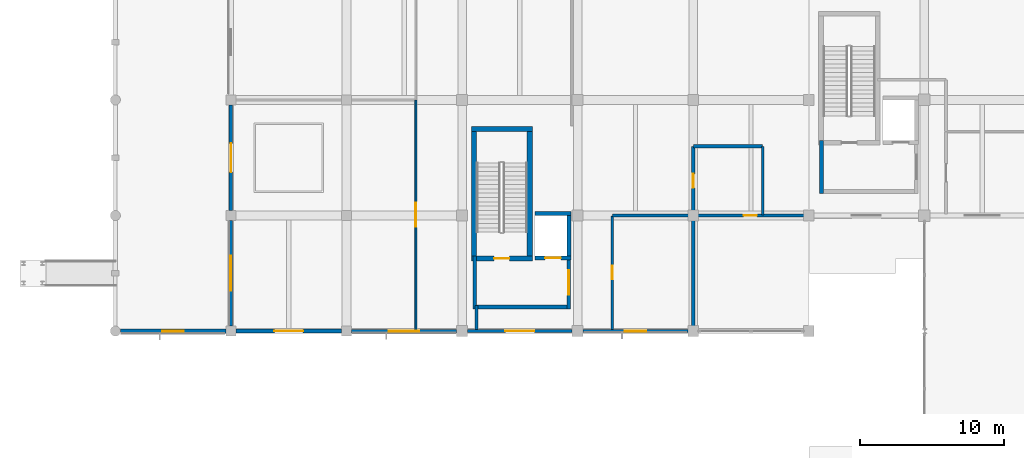
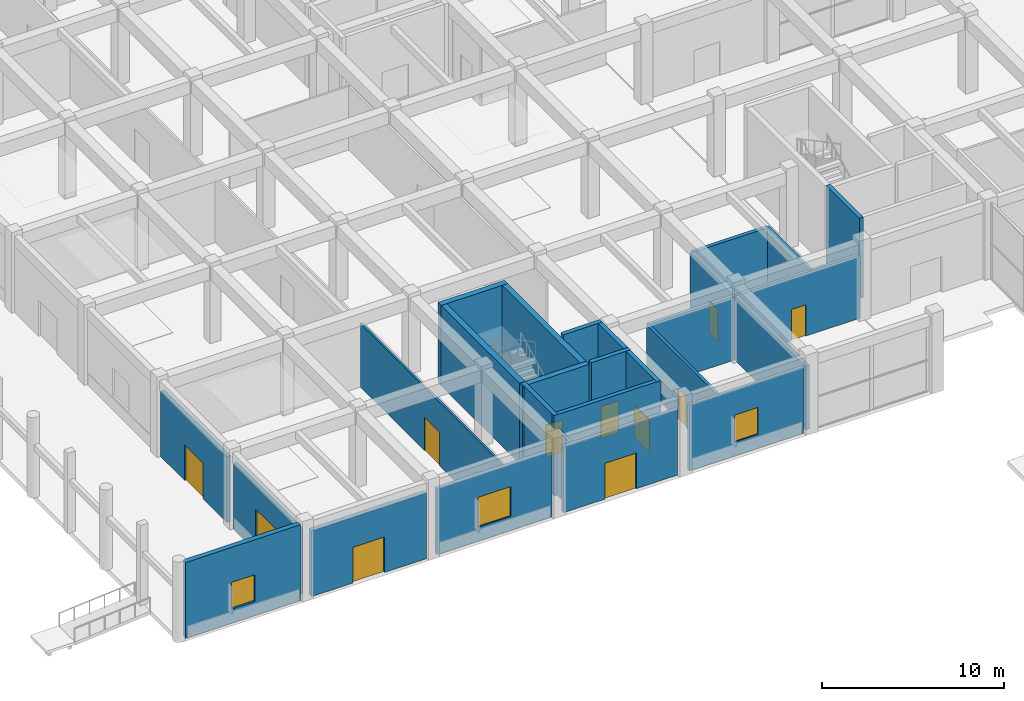
# One storey, part 54 of 86: 27 walls, 10 doors, 4 windows, 14 openings.
"""IFC4 building model written with IfcOpenShell, lengths in metres."""

from ifc_helpers import new_model, si_unit, direction, frame, frame_2d, origin, place, context, subcontext, project, spatial, rectangle, extrude, material, layer, layer_set, type_object, element, fill, save


model = new_model("IFC4")

# Units and contexts
model_context = context("Model", 3, precision=1e-05, world=origin(), true_north=direction((0.0, 1.0)))
body_context = subcontext(model_context, "Body", "Model", "MODEL_VIEW")
ifc_project = project(units=[si_unit("LENGTHUNIT", "METRE"), si_unit("AREAUNIT", "SQUARE_METRE"), si_unit("VOLUMEUNIT", "CUBIC_METRE"), si_unit("PLANEANGLEUNIT", "RADIAN"), si_unit("MASSUNIT", "GRAM", prefix="KILO")], contexts=[model_context])

# Site, building, storey
site_placement = place(None, origin())
site = spatial("IfcSite", under=ifc_project, at=site_placement, CompositionType="ELEMENT")
building_placement = place(site_placement, origin())
building = spatial("IfcBuilding", under=site, at=building_placement, Name="Kenh Van Central Station", CompositionType="ELEMENT")
storey_placement = place(building_placement, origin())
storey = spatial("IfcBuildingStorey", under=building, at=storey_placement, Name="L00", CompositionType="ELEMENT", Elevation=0.0)

# Wall
ifc_material_1 = material(Name="Lightweight acoustic masonry blockwork", Category="masonry")
ifc_layer_1 = layer(ifc_material_1, 0.18994140625, Name="Lightweight acoustic masonry blockwork")
ifc_layer_set_1 = layer_set([ifc_layer_1], Name="Lightweight acoustic masonry blockwork")
wall_type_1 = type_object("IfcWallType", Name="WL-COMP-190", PredefinedType="SOLIDWALL", material=ifc_layer_set_1)
wall_1_placement = place(storey_placement, frame((25.0, 8.1201171875, 0.0), z_axis=(0.0, 0.0, 1.0), x_axis=(0.0, 1.0, 0.0)))
element("IfcWall", 1, at=wall_1_placement, inside=storey, type_object=wall_type_1, Name="L00 interior wall 0049", PredefinedType="SOLIDWALL", context=body_context, shape_type="SweptSolid", body=[
    extrude(rectangle(XDim=1.659912109375, YDim=0.18994140625, at=frame_2d((0.830078125, 0.0))), origin(), (0.0, 0.0, 1.0), 4.419921875),
])

# Wall, opening, door
ifc_material_2 = material(Name="Concrete C40/50", Category="concrete")
ifc_layer_2 = layer(ifc_material_2, 0.280029296875, Name="Concrete C40/50")
ifc_layer_set_2 = layer_set([ifc_layer_2], Name="Concrete C40/50")
wall_type_2 = type_object("IfcWallType", Name="WL-CORE-280", PredefinedType="SHEAR", material=ifc_layer_set_2)
wall_2_placement = place(storey_placement, frame((29.050048828125, 13.06005859375, 0.0), z_axis=(0.0, 0.0, 1.0), x_axis=(1.0, 0.0, 0.0)))
wall_2 = element("IfcWall", 2, at=wall_2_placement, inside=storey, type_object=wall_type_2, Name="L00 LIFT-P1 shaft wall S", PredefinedType="SHEAR", context=body_context, shape_type="SweptSolid", body=[
    extrude(rectangle(XDim=2.47998046875, YDim=0.280029296875, at=frame_2d((1.239990234375, 0.0))), origin(), (0.0, 0.0, 1.0), 5.39990234375),
])
opening_1_placement = place(wall_2_placement, frame((0.68994140625, 0.0, 0.0)))
opening_1 = element("IfcOpeningElement", 3, at=opening_1_placement, cuts=wall_2, Name="Opening LD-P1", PredefinedType="OPENING", context=body_context, shape_type="SweptSolid", body=[
    extrude(rectangle(XDim=1.10009765625, YDim=2.14990234375, at=frame_2d((0.550048828125, 1.074951171875))), frame((0.0, 0.14990234375, 0.0), z_axis=(0.0, -1.0, 0.0), x_axis=(1.0, 0.0, 0.0)), (0.0, 0.0, 1.0), 0.300048828125),
])
ifc_material_3 = material(Name="Champagne anodised aluminium", Category="aluminium")
door_type_1 = type_object("IfcDoorType", Name="DR-LIFT-1100x2150", OperationType="SLIDING_TO_LEFT", PredefinedType="DOOR", material=ifc_material_3)
door_1_placement = place(opening_1_placement, origin())
door_1 = element("IfcDoor", 4, at=door_1_placement, inside=storey, type_object=door_type_1, Name="L00 LIFT-P1 sliding landing door", OperationType="SLIDING_TO_LEFT", OverallHeight=2.14990234375, OverallWidth=1.10009765625, PredefinedType="DOOR", context=body_context, shape_type="SweptSolid", body=[
    extrude(rectangle(XDim=1.10009765625, YDim=2.14990234375, at=frame_2d((0.550048828125, 1.074951171875))), frame((0.0, 0.02490234375, 0.0), z_axis=(0.0, -1.0, 0.0), x_axis=(1.0, 0.0, 0.0)), (0.0, 0.0, 1.0), 0.050048828125),
])
fill(opening_1, door_1)

# Walls
wall_3_placement = place(storey_placement, frame((29.050048828125, 16.139892578125, 0.0), z_axis=(0.0, 0.0, 1.0), x_axis=(1.0, 0.0, 0.0)))
element("IfcWall", 5, at=wall_3_placement, inside=storey, type_object=wall_type_2, Name="L00 LIFT-P1 shaft wall N", PredefinedType="SHEAR", context=body_context, shape_type="SweptSolid", body=[
    extrude(rectangle(XDim=2.47998046875, YDim=0.280029296875, at=frame_2d((1.239990234375, 0.0))), origin(), (0.0, 0.0, 1.0), 5.39990234375),
])
wall_4_placement = place(storey_placement, frame((31.389892578125, 13.199951171875, 0.0), z_axis=(0.0, 0.0, 1.0), x_axis=(0.0, 1.0, 0.0)))
element("IfcWall", 6, at=wall_4_placement, inside=storey, type_object=wall_type_2, Name="L00 LIFT-P1 shaft wall E", PredefinedType="SHEAR", context=body_context, shape_type="SweptSolid", body=[
    extrude(rectangle(XDim=2.800048828125, YDim=0.280029296875, at=frame_2d((1.39990234375, 0.0))), origin(), (0.0, 0.0, 1.0), 5.39990234375),
])

# Wall, opening, door
ifc_layer_3 = layer(ifc_material_2, 0.360107421875, Name="Concrete C40/50")
ifc_layer_set_3 = layer_set([ifc_layer_3], Name="Concrete C40/50")
wall_type_3 = type_object("IfcWallType", Name="WL-CORE-360", PredefinedType="SHEAR", material=ifc_layer_set_3)
wall_5_placement = place(storey_placement, frame((24.639892578125, 13.02001953125, 0.0), z_axis=(0.0, 0.0, 1.0), x_axis=(1.0, 0.0, 0.0)))
wall_5 = element("IfcWall", 7, at=wall_5_placement, inside=storey, type_object=wall_type_3, Name="L00 CORE-01 stair wall S", PredefinedType="SHEAR", context=body_context, shape_type="SweptSolid", body=[
    extrude(rectangle(XDim=4.22021484375, YDim=0.360107421875, at=frame_2d((2.110107421875, 0.0))), origin(), (0.0, 0.0, 1.0), 5.39990234375),
])
opening_2_placement = place(wall_5_placement, frame((1.5849609375, 0.0, 0.0)))
opening_2 = element("IfcOpeningElement", 8, at=opening_2_placement, cuts=wall_5, Name="Opening D-FD60", PredefinedType="OPENING", context=body_context, shape_type="SweptSolid", body=[
    extrude(rectangle(XDim=1.050048828125, YDim=2.14990234375, at=frame_2d((0.52490234375, 1.074951171875))), frame((0.0, 0.18994140625, 0.0), z_axis=(0.0, -1.0, 0.0), x_axis=(1.0, 0.0, 0.0)), (0.0, 0.0, 1.0), 0.380126953125),
])
door_type_2 = type_object("IfcDoorType", Name="DR-FIRE-1050x2150", OperationType="NOTDEFINED", PredefinedType="DOOR", material=ifc_material_3)
door_2_placement = place(opening_2_placement, origin())
door_2 = element("IfcDoor", 9, at=door_2_placement, inside=storey, type_object=door_type_2, Name="L00 ST-01 stair door", OperationType="SINGLE_SWING_LEFT", OverallHeight=2.14990234375, OverallWidth=1.050048828125, PredefinedType="DOOR", context=body_context, shape_type="SweptSolid", body=[
    extrude(rectangle(XDim=1.050048828125, YDim=2.14990234375, at=frame_2d((0.52490234375, 1.074951171875))), frame((0.0, 0.02490234375, 0.0), z_axis=(0.0, -1.0, 0.0), x_axis=(1.0, 0.0, 0.0)), (0.0, 0.0, 1.0), 0.050048828125),
])
fill(opening_2, door_2)

# Walls
wall_6_placement = place(storey_placement, frame((24.639892578125, 21.97998046875, 0.0), z_axis=(0.0, 0.0, 1.0), x_axis=(1.0, 0.0, 0.0)))
element("IfcWall", 10, at=wall_6_placement, inside=storey, type_object=wall_type_3, Name="L00 CORE-01 stair wall N", PredefinedType="SHEAR", context=body_context, shape_type="SweptSolid", body=[
    extrude(rectangle(XDim=4.22021484375, YDim=0.360107421875, at=frame_2d((2.110107421875, 0.0))), origin(), (0.0, 0.0, 1.0), 5.39990234375),
])
for number, where, z_axis, x_axis, name in (
    (11, (24.820068359375, 13.199951171875, 0.0), (0.0, 0.0, 1.0), (0.0, 1.0, 0.0), "L00 CORE-01 stair wall W"),
    (12, (28.679931640625, 13.199951171875, 0.0), (0.0, 0.0, 1.0), (0.0, 1.0, 0.0), "L00 CORE-01 stair wall E"),
):
    element("IfcWall", number, at=place(storey_placement, frame(where, z_axis=z_axis, x_axis=x_axis)), inside=storey, type_object=wall_type_3, Name=name, PredefinedType="SHEAR", context=body_context, shape_type="SweptSolid", body=[
        extrude(rectangle(XDim=8.60009765625, YDim=0.360107421875, at=frame_2d((4.300048828125, 0.0))), origin(), (0.0, 0.0, 1.0), 5.39990234375),
    ])

# Wall, opening, door
ifc_material_4 = material(Name="Saigon buff sandstone and terracotta masonry", Category="masonry")
ifc_layer_4 = layer(ifc_material_4, 0.2900390625, Name="Saigon buff sandstone and terracotta masonry")
ifc_layer_set_4 = layer_set([ifc_layer_4], Name="Saigon buff sandstone and terracotta masonry")
wall_type_4 = type_object("IfcWallType", Name="WL-EXT-290", PredefinedType="STANDARD", material=ifc_layer_set_4)
wall_7_placement = place(storey_placement, frame((8.35009765625, 8.0, 0.0), z_axis=(0.0, 0.0, 1.0), x_axis=(1.0, 0.0, 0.0)))
wall_7 = element("IfcWall", 13, at=wall_7_placement, inside=storey, type_object=wall_type_4, Name="L00 exterior wall 020", PredefinedType="STANDARD", context=body_context, shape_type="SweptSolid", body=[
    extrude(rectangle(XDim=7.2998046875, YDim=0.2900390625, at=frame_2d((3.64990234375, 0.0))), origin(), (0.0, 0.0, 1.0), 4.419921875),
])
opening_3_placement = place(wall_7_placement, frame((2.64990234375, 0.0, 0.0)))
opening_3 = element("IfcOpeningElement", 14, at=opening_3_placement, cuts=wall_7, Name="Opening D-EX3", PredefinedType="OPENING", context=body_context, shape_type="SweptSolid", body=[
    extrude(rectangle(XDim=2.0, YDim=2.39990234375, at=frame_2d((1.0, 1.199951171875))), frame((0.0, 0.155029296875, 0.0), z_axis=(0.0, -1.0, 0.0), x_axis=(1.0, 0.0, 0.0)), (0.0, 0.0, 1.0), 0.31005859375),
])
door_type_3 = type_object("IfcDoorType", Name="DR-EXT-2000x2400", OperationType="DOUBLE_DOOR_SINGLE_SWING", PredefinedType="DOOR", material=ifc_material_3)
door_3_placement = place(opening_3_placement, frame((2.0, 0.0, 0.0), z_axis=(0.0, 0.0, 1.0), x_axis=(-1.0, 0.0, 0.0)))
door_3 = element("IfcDoor", 15, at=door_3_placement, inside=storey, type_object=door_type_3, Name="L00 exterior door 018", OperationType="DOUBLE_DOOR_SINGLE_SWING", OverallHeight=2.39990234375, OverallWidth=2.0, PredefinedType="DOOR", context=body_context, shape_type="SweptSolid", body=[
    extrude(rectangle(XDim=2.0, YDim=2.39990234375, at=frame_2d((-1.0, 1.199951171875))), frame((0.0, -0.02490234375, 0.0), z_axis=(0.0, 1.0, 0.0), x_axis=(-1.0, 0.0, 0.0)), (0.0, 0.0, 1.0), 0.050048828125),
])
fill(opening_3, door_3)

# Wall, opening, window
ifc_layer_5 = layer(ifc_material_4, 0.31005859375, Name="Saigon buff sandstone and terracotta masonry")
ifc_layer_set_5 = layer_set([ifc_layer_5], Name="Saigon buff sandstone and terracotta masonry")
wall_type_5 = type_object("IfcWallType", Name="WL-EXT-310", PredefinedType="STANDARD", material=ifc_layer_set_5)
wall_8_placement = place(storey_placement, frame((0.35009765625, 8.0, 0.0), z_axis=(0.0, 0.0, 1.0), x_axis=(1.0, 0.0, 0.0)))
wall_8 = element("IfcWall", 16, at=wall_8_placement, inside=storey, type_object=wall_type_5, Name="L00 exterior wall 019", PredefinedType="STANDARD", context=body_context, shape_type="SweptSolid", body=[
    extrude(rectangle(XDim=7.2998046875, YDim=0.31005859375, at=frame_2d((3.64990234375, 0.0))), origin(), (0.0, 0.0, 1.0), 5.10009765625),
])
opening_4_placement = place(wall_8_placement, frame((2.89990234375, 0.0, 0.949951171875)))
opening_4 = element("IfcOpeningElement", 17, at=opening_4_placement, cuts=wall_8, Name="Opening WN-11", PredefinedType="OPENING", context=body_context, shape_type="SweptSolid", body=[
    extrude(rectangle(XDim=1.5, YDim=1.800048828125, at=frame_2d((0.75, 0.89990234375))), frame((0.0, 0.1650390625, 0.0), z_axis=(0.0, -1.0, 0.0), x_axis=(1.0, 0.0, 0.0)), (0.0, 0.0, 1.0), 0.330078125),
])
ifc_material_5 = material(Name="Double-glazed low-E laminated solar glass", Category="glass")
window_type_1 = type_object("IfcWindowType", Name="WN-RETL-1500x1800", PartitioningType="SINGLE_PANEL", PredefinedType="WINDOW", material=ifc_material_5)
window_1_placement = place(opening_4_placement, origin())
window_1 = element("IfcWindow", 18, at=window_1_placement, inside=storey, type_object=window_type_1, Name="L00 window 002", OverallHeight=1.800048828125, OverallWidth=1.5, PartitioningType="SINGLE_PANEL", PredefinedType="WINDOW", context=body_context, shape_type="SweptSolid", body=[
    extrude(rectangle(XDim=1.5, YDim=1.800048828125, at=frame_2d((0.75, 0.89990234375))), frame((0.0, 0.030029296875, 0.0), z_axis=(0.0, -1.0, 0.0), x_axis=(1.0, 0.0, 0.0)), (0.0, 0.0, 1.0), 0.06005859375),
])
fill(opening_4, window_1)

# Walls
ifc_layer_6 = layer(ifc_material_2, 0.260009765625, Name="Concrete C40/50")
ifc_layer_set_6 = layer_set([ifc_layer_6], Name="Concrete C40/50")
wall_type_6 = type_object("IfcWallType", Name="WL-FIRE-260", PredefinedType="SHEAR", material=ifc_layer_set_6)
wall_9_placement = place(storey_placement, frame((31.510009765625, 9.669921875, 0.0), z_axis=(0.0, 0.0, 1.0), x_axis=(-1.0, 0.0, 0.0)))
element("IfcWall", 19, at=wall_9_placement, inside=storey, type_object=wall_type_6, Name="L00 CORE-01 lobby wall S", PredefinedType="SHEAR", context=body_context, shape_type="SweptSolid", body=[
    extrude(rectangle(XDim=6.77001953125, YDim=0.260009765625, at=frame_2d((3.385009765625, 0.0))), origin(), (0.0, 0.0, 1.0), 5.39990234375),
])
wall_10_placement = place(storey_placement, frame((24.8701171875, 9.5400390625, 0.0), z_axis=(0.0, 0.0, 1.0), x_axis=(0.0, 1.0, 0.0)))
element("IfcWall", 20, at=wall_10_placement, inside=storey, type_object=wall_type_6, Name="L00 CORE-01 lobby wall W", PredefinedType="SHEAR", context=body_context, shape_type="SweptSolid", body=[
    extrude(rectangle(XDim=3.659912109375, YDim=0.260009765625, at=frame_2d((1.830078125, 0.0))), origin(), (0.0, 0.0, 1.0), 5.39990234375),
])

# Wall, opening, door
wall_11_placement = place(storey_placement, frame((31.3798828125, 9.5400390625, 0.0), z_axis=(0.0, 0.0, 1.0), x_axis=(0.0, 1.0, 0.0)))
wall_11 = element("IfcWall", 21, at=wall_11_placement, inside=storey, type_object=wall_type_6, Name="L00 CORE-01 lobby wall E", PredefinedType="SHEAR", context=body_context, shape_type="SweptSolid", body=[
    extrude(rectangle(XDim=3.659912109375, YDim=0.260009765625, at=frame_2d((1.830078125, 0.0))), origin(), (0.0, 0.0, 1.0), 5.39990234375),
])
opening_5_placement = place(wall_11_placement, frame((0.97998046875, 0.0, 0.0)))
opening_5 = element("IfcOpeningElement", 22, at=opening_5_placement, cuts=wall_11, Name="Opening D-FD60D", PredefinedType="OPENING", context=body_context, shape_type="SweptSolid", body=[
    extrude(rectangle(XDim=1.699951171875, YDim=2.199951171875, at=frame_2d((0.85009765625, 1.10009765625))), frame((0.0, 0.139892578125, 0.0), z_axis=(0.0, -1.0, 0.0), x_axis=(1.0, 0.0, 0.0)), (0.0, 0.0, 1.0), 0.280029296875),
])
door_type_4 = type_object("IfcDoorType", Name="DR-FIRE-1700x2200", OperationType="DOUBLE_DOOR_SINGLE_SWING", PredefinedType="DOOR", material=ifc_material_3)
door_4_placement = place(opening_5_placement, origin())
door_4 = element("IfcDoor", 23, at=door_4_placement, inside=storey, type_object=door_type_4, Name="L00 CORE-01 smoke-stop lobby door", OperationType="DOUBLE_DOOR_SINGLE_SWING", OverallHeight=2.199951171875, OverallWidth=1.699951171875, PredefinedType="DOOR", context=body_context, shape_type="SweptSolid", body=[
    extrude(rectangle(XDim=1.699951171875, YDim=2.199951171875, at=frame_2d((0.85009765625, 1.10009765625))), frame((0.0, 0.02490234375, 0.0), z_axis=(0.0, -1.0, 0.0), x_axis=(1.0, 0.0, 0.0)), (0.0, 0.0, 1.0), 0.050048828125),
])
fill(opening_5, door_4)

# Wall
wall_12_placement = place(storey_placement, frame((48.8701171875, 17.5400390625, 0.0), z_axis=(0.0, 0.0, 1.0), x_axis=(0.0, 1.0, 0.0)))
element("IfcWall", 24, at=wall_12_placement, inside=storey, type_object=wall_type_6, Name="L00 CORE-03 lobby wall W", PredefinedType="SHEAR", context=body_context, shape_type="SweptSolid", body=[
    extrude(rectangle(XDim=3.659912109375, YDim=0.260009765625, at=frame_2d((1.830078125, 0.0))), origin(), (0.0, 0.0, 1.0), 5.39990234375),
])

# Wall, opening, door
ifc_layer_7 = layer(ifc_material_1, 0.125, Name="Lightweight acoustic masonry blockwork")
ifc_layer_set_7 = layer_set([ifc_layer_7], Name="Lightweight acoustic masonry blockwork")
wall_type_7 = type_object("IfcWallType", Name="WL-PART-125", PredefinedType="PARTITIONING", material=ifc_layer_set_7)
wall_13_placement = place(storey_placement, frame((20.800048828125, 8.1201171875, 0.0), z_axis=(0.0, 0.0, 1.0), x_axis=(0.0, 1.0, 0.0)))
wall_13 = element("IfcWall", 25, at=wall_13_placement, inside=storey, type_object=wall_type_7, Name="L00 interior wall 0039", PredefinedType="PARTITIONING", context=body_context, shape_type="SweptSolid", body=[
    extrude(rectangle(XDim=15.85986328125, YDim=0.125, at=frame_2d((7.929931640625, 0.0))), origin(), (0.0, 0.0, 1.0), 4.27001953125),
])
opening_6_placement = place(wall_13_placement, frame((7.10498046875, 0.0, 0.0)))
opening_6 = element("IfcOpeningElement", 26, at=opening_6_placement, cuts=wall_13, Name="Opening D-IN02", PredefinedType="OPENING", context=body_context, shape_type="SweptSolid", body=[
    extrude(rectangle(XDim=1.64990234375, YDim=2.25, at=frame_2d((0.824951171875, 1.125))), frame((0.0, 0.072509765625, 0.0), z_axis=(0.0, -1.0, 0.0), x_axis=(1.0, 0.0, 0.0)), (0.0, 0.0, 1.0), 0.14501953125),
])
ifc_material_6 = material(Name="Architectural hardwood timber", Category="wood")
door_type_5 = type_object("IfcDoorType", Name="DR-INT-1650x2250", OperationType="DOUBLE_DOOR_SINGLE_SWING", PredefinedType="DOOR", material=ifc_material_6)
door_5_placement = place(opening_6_placement, origin())
door_5 = element("IfcDoor", 27, at=door_5_placement, inside=storey, type_object=door_type_5, Name="L00 interior door 0022", OperationType="DOUBLE_DOOR_SINGLE_SWING", OverallHeight=2.25, OverallWidth=1.64990234375, PredefinedType="DOOR", context=body_context, shape_type="SweptSolid", body=[
    extrude(rectangle(XDim=1.64990234375, YDim=2.25, at=frame_2d((0.824951171875, 1.125))), frame((0.0, 0.02490234375, 0.0), z_axis=(0.0, -1.0, 0.0), x_axis=(1.0, 0.0, 0.0)), (0.0, 0.0, 1.0), 0.050048828125),
])
fill(opening_6, door_5)

ifc_layer_8 = layer(ifc_material_1, 0.18505859375, Name="Lightweight acoustic masonry blockwork")
ifc_layer_set_8 = layer_set([ifc_layer_8], Name="Lightweight acoustic masonry blockwork")
wall_type_8 = type_object("IfcWallType", Name="WL-PLMB-185", PredefinedType="PLUMBINGWALL", material=ifc_layer_set_8)
wall_14_placement = place(storey_placement, frame((34.39990234375, 8.1201171875, 0.0), z_axis=(0.0, 0.0, 1.0), x_axis=(0.0, 1.0, 0.0)))
wall_14 = element("IfcWall", 28, at=wall_14_placement, inside=storey, type_object=wall_type_8, Name="L00 interior wall 0050", PredefinedType="PLUMBINGWALL", context=body_context, shape_type="SweptSolid", body=[
    extrude(rectangle(XDim=7.85986328125, YDim=0.18505859375, at=frame_2d((3.929931640625, 0.0))), origin(), (0.0, 0.0, 1.0), 4.27001953125),
])
opening_7_placement = place(wall_14_placement, frame((3.469970703125, 0.0, 0.0)))
opening_7 = element("IfcOpeningElement", 29, at=opening_7_placement, cuts=wall_14, Name="Opening D-IN09", PredefinedType="OPENING", context=body_context, shape_type="SweptSolid", body=[
    extrude(rectangle(XDim=0.919921875, YDim=2.10009765625, at=frame_2d((0.4599609375, 1.050048828125))), frame((0.0, 0.1025390625, 0.0), z_axis=(0.0, -1.0, 0.0), x_axis=(1.0, 0.0, 0.0)), (0.0, 0.0, 1.0), 0.205078125),
])
door_type_6 = type_object("IfcDoorType", Name="DR-INT-920x2100", OperationType="NOTDEFINED", PredefinedType="DOOR", material=ifc_material_6)
door_6_placement = place(opening_7_placement, origin())
door_6 = element("IfcDoor", 30, at=door_6_placement, inside=storey, type_object=door_type_6, Name="L00 interior door 0027", OperationType="SINGLE_SWING_RIGHT", OverallHeight=2.10009765625, OverallWidth=0.919921875, PredefinedType="DOOR", context=body_context, shape_type="SweptSolid", body=[
    extrude(rectangle(XDim=0.919921875, YDim=2.10009765625, at=frame_2d((0.4599609375, 1.050048828125))), frame((0.0, 0.02490234375, 0.0), z_axis=(0.0, -1.0, 0.0), x_axis=(1.0, 0.0, 0.0)), (0.0, 0.0, 1.0), 0.050048828125),
])
fill(opening_7, door_6)

wall_15_placement = place(storey_placement, frame((40.02001953125, 16.0, 0.0), z_axis=(0.0, 0.0, 1.0), x_axis=(1.0, 0.0, 0.0)))
wall_15 = element("IfcWall", 31, at=wall_15_placement, inside=storey, type_object=wall_type_8, Name="L00 interior wall 0053", PredefinedType="PLUMBINGWALL", context=body_context, shape_type="SweptSolid", body=[
    extrude(rectangle(XDim=7.85986328125, YDim=0.18505859375, at=frame_2d((3.929931640625, 0.0))), origin(), (0.0, 0.0, 1.0), 4.27001953125),
])
opening_8_placement = place(wall_15_placement, frame((3.469970703125, 0.0, 0.0)))
opening_8 = element("IfcOpeningElement", 32, at=opening_8_placement, cuts=wall_15, Name="Opening D-IN09", PredefinedType="OPENING", context=body_context, shape_type="SweptSolid", body=[
    extrude(rectangle(XDim=0.919921875, YDim=2.10009765625, at=frame_2d((0.4599609375, 1.050048828125))), frame((0.0, 0.1025390625, 0.0), z_axis=(0.0, -1.0, 0.0), x_axis=(1.0, 0.0, 0.0)), (0.0, 0.0, 1.0), 0.205078125),
])
door_7_placement = place(opening_8_placement, origin())
door_7 = element("IfcDoor", 33, at=door_7_placement, inside=storey, type_object=door_type_6, Name="L00 interior door 0028", OperationType="SINGLE_SWING_LEFT", OverallHeight=2.10009765625, OverallWidth=0.919921875, PredefinedType="DOOR", context=body_context, shape_type="SweptSolid", body=[
    extrude(rectangle(XDim=0.919921875, YDim=2.10009765625, at=frame_2d((0.4599609375, 1.050048828125))), frame((0.0, 0.02490234375, 0.0), z_axis=(0.0, -1.0, 0.0), x_axis=(1.0, 0.0, 0.0)), (0.0, 0.0, 1.0), 0.050048828125),
])
fill(opening_8, door_7)

# Walls
wall_16_placement = place(storey_placement, frame((44.800048828125, 16.02001953125, 0.0), z_axis=(0.0, 0.0, 1.0), x_axis=(0.0, 1.0, 0.0)))
element("IfcWall", 34, at=wall_16_placement, inside=storey, type_object=wall_type_8, Name="L00 interior wall 0056", PredefinedType="PLUMBINGWALL", context=body_context, shape_type="SweptSolid", body=[
    extrude(rectangle(XDim=4.760009765625, YDim=0.18505859375, at=frame_2d((2.3798828125, 0.0))), origin(), (0.0, 0.0, 1.0), 4.27001953125),
])
ifc_layer_9 = layer(ifc_material_1, 0.22998046875, Name="Lightweight acoustic masonry blockwork")
ifc_layer_set_9 = layer_set([ifc_layer_9], Name="Lightweight acoustic masonry blockwork")
wall_type_9 = type_object("IfcWallType", Name="WL-PLMB-230", PredefinedType="PLUMBINGWALL", material=ifc_layer_set_9)
wall_17_placement = place(storey_placement, frame((34.419921875, 16.0, 0.0), z_axis=(0.0, 0.0, 1.0), x_axis=(1.0, 0.0, 0.0)))
element("IfcWall", 35, at=wall_17_placement, inside=storey, type_object=wall_type_9, Name="L00 interior wall 0052", PredefinedType="PLUMBINGWALL", context=body_context, shape_type="SweptSolid", body=[
    extrude(rectangle(XDim=5.56005859375, YDim=0.22998046875, at=frame_2d((2.780029296875, 0.0))), origin(), (0.0, 0.0, 1.0), 4.27001953125),
])
wall_18_placement = place(storey_placement, frame((40.02001953125, 20.800048828125, 0.0), z_axis=(0.0, 0.0, 1.0), x_axis=(1.0, 0.0, 0.0)))
element("IfcWall", 36, at=wall_18_placement, inside=storey, type_object=wall_type_9, Name="L00 interior wall 0055", PredefinedType="PLUMBINGWALL", context=body_context, shape_type="SweptSolid", body=[
    extrude(rectangle(XDim=4.760009765625, YDim=0.22998046875, at=frame_2d((2.3798828125, 0.0))), origin(), (0.0, 0.0, 1.0), 4.27001953125),
])
ifc_layer_10 = layer(ifc_material_1, 0.27001953125, Name="Lightweight acoustic masonry blockwork")
ifc_layer_set_10 = layer_set([ifc_layer_10], Name="Lightweight acoustic masonry blockwork")
wall_type_10 = type_object("IfcWallType", Name="WL-PLMB-270", PredefinedType="PLUMBINGWALL", material=ifc_layer_set_10)
wall_19_placement = place(storey_placement, frame((40.0, 8.1201171875, 0.0), z_axis=(0.0, 0.0, 1.0), x_axis=(0.0, 1.0, 0.0)))
element("IfcWall", 37, at=wall_19_placement, inside=storey, type_object=wall_type_10, Name="L00 interior wall 0051", PredefinedType="PLUMBINGWALL", context=body_context, shape_type="SweptSolid", body=[
    extrude(rectangle(XDim=7.85986328125, YDim=0.27001953125, at=frame_2d((3.929931640625, 0.0))), origin(), (0.0, 0.0, 1.0), 4.27001953125),
])

# Wall, opening, door
wall_20_placement = place(storey_placement, frame((40.0, 16.02001953125, 0.0), z_axis=(0.0, 0.0, 1.0), x_axis=(0.0, 1.0, 0.0)))
wall_20 = element("IfcWall", 38, at=wall_20_placement, inside=storey, type_object=wall_type_10, Name="L00 interior wall 0054", PredefinedType="PLUMBINGWALL", context=body_context, shape_type="SweptSolid", body=[
    extrude(rectangle(XDim=4.760009765625, YDim=0.27001953125, at=frame_2d((2.3798828125, 0.0))), origin(), (0.0, 0.0, 1.0), 4.27001953125),
])
opening_9_placement = place(wall_20_placement, frame((1.89990234375, 0.0, 0.0)))
opening_9 = element("IfcOpeningElement", 39, at=opening_9_placement, cuts=wall_20, Name="Opening D-IN08", PredefinedType="OPENING", context=body_context, shape_type="SweptSolid", body=[
    extrude(rectangle(XDim=0.9599609375, YDim=2.10009765625, at=frame_2d((0.47998046875, 1.050048828125))), frame((0.0, 0.14501953125, 0.0), z_axis=(0.0, -1.0, 0.0), x_axis=(1.0, 0.0, 0.0)), (0.0, 0.0, 1.0), 0.2900390625),
])
door_type_7 = type_object("IfcDoorType", Name="DR-INT-960x2100", OperationType="NOTDEFINED", PredefinedType="DOOR", material=ifc_material_6)
door_8_placement = place(opening_9_placement, origin())
door_8 = element("IfcDoor", 40, at=door_8_placement, inside=storey, type_object=door_type_7, Name="L00 interior door 0029", OperationType="SINGLE_SWING_RIGHT", OverallHeight=2.10009765625, OverallWidth=0.9599609375, PredefinedType="DOOR", context=body_context, shape_type="SweptSolid", body=[
    extrude(rectangle(XDim=0.9599609375, YDim=2.10009765625, at=frame_2d((0.47998046875, 1.050048828125))), frame((0.0, 0.02490234375, 0.0), z_axis=(0.0, -1.0, 0.0), x_axis=(1.0, 0.0, 0.0)), (0.0, 0.0, 1.0), 0.050048828125),
])
fill(opening_9, door_8)

# Wall, opening, window
ifc_material_7 = material(Name="Glazed terracotta architectural masonry", Category="masonry")
ifc_layer_11 = layer(ifc_material_7, 0.195068359375, Name="Glazed terracotta architectural masonry")
ifc_layer_set_11 = layer_set([ifc_layer_11], Name="Glazed terracotta architectural masonry")
wall_type_11 = type_object("IfcWallType", Name="WL-SLD-195", PredefinedType="SOLIDWALL", material=ifc_layer_set_11)
wall_21_placement = place(storey_placement, frame((32.375, 8.0, 0.0), z_axis=(0.0, 0.0, 1.0), x_axis=(1.0, 0.0, 0.0)))
wall_21 = element("IfcWall", 41, at=wall_21_placement, inside=storey, type_object=wall_type_11, Name="L00 exterior wall 023", PredefinedType="SOLIDWALL", context=body_context, shape_type="SweptSolid", body=[
    extrude(rectangle(XDim=7.25, YDim=0.195068359375, at=frame_2d((3.625, 0.0))), origin(), (0.0, 0.0, 1.0), 4.419921875),
])
opening_10_placement = place(wall_21_placement, frame((2.875, 0.0, 0.949951171875)))
opening_10 = element("IfcOpeningElement", 42, at=opening_10_placement, cuts=wall_21, Name="Opening WN-11", PredefinedType="OPENING", context=body_context, shape_type="SweptSolid", body=[
    extrude(rectangle(XDim=1.5, YDim=1.800048828125, at=frame_2d((0.75, 0.89990234375))), frame((0.0, 0.107421875, 0.0), z_axis=(0.0, -1.0, 0.0), x_axis=(1.0, 0.0, 0.0)), (0.0, 0.0, 1.0), 0.215087890625),
])
window_2_placement = place(opening_10_placement, origin())
window_2 = element("IfcWindow", 43, at=window_2_placement, inside=storey, type_object=window_type_1, Name="L00 window 004", OverallHeight=1.800048828125, OverallWidth=1.5, PartitioningType="SINGLE_PANEL", PredefinedType="WINDOW", context=body_context, shape_type="SweptSolid", body=[
    extrude(rectangle(XDim=1.5, YDim=1.800048828125, at=frame_2d((0.75, 0.89990234375))), frame((0.0, 0.030029296875, 0.0), z_axis=(0.0, -1.0, 0.0), x_axis=(1.0, 0.0, 0.0)), (0.0, 0.0, 1.0), 0.06005859375),
])
fill(opening_10, window_2)

# Wall, opening, door
ifc_layer_12 = layer(ifc_material_7, 0.219970703125, Name="Glazed terracotta architectural masonry")
ifc_layer_set_12 = layer_set([ifc_layer_12], Name="Glazed terracotta architectural masonry")
wall_type_12 = type_object("IfcWallType", Name="WL-SLD-220", PredefinedType="SOLIDWALL", material=ifc_layer_set_12)
wall_22_placement = place(storey_placement, frame((24.375, 8.0, 0.0), z_axis=(0.0, 0.0, 1.0), x_axis=(1.0, 0.0, 0.0)))
wall_22 = element("IfcWall", 44, at=wall_22_placement, inside=storey, type_object=wall_type_12, Name="L00 exterior wall 022", PredefinedType="SOLIDWALL", context=body_context, shape_type="SweptSolid", body=[
    extrude(rectangle(XDim=7.25, YDim=0.219970703125, at=frame_2d((3.625, 0.0))), origin(), (0.0, 0.0, 1.0), 4.419921875),
])
opening_11_placement = place(wall_22_placement, frame((2.625, 0.0, 0.0)))
opening_11 = element("IfcOpeningElement", 45, at=opening_11_placement, cuts=wall_22, Name="Opening D-EX3", PredefinedType="OPENING", context=body_context, shape_type="SweptSolid", body=[
    extrude(rectangle(XDim=2.0, YDim=2.39990234375, at=frame_2d((1.0, 1.199951171875))), frame((0.0, 0.119873046875, 0.0), z_axis=(0.0, -1.0, 0.0), x_axis=(1.0, 0.0, 0.0)), (0.0, 0.0, 1.0), 0.239990234375),
])
door_9_placement = place(opening_11_placement, frame((2.0, 0.0, 0.0), z_axis=(0.0, 0.0, 1.0), x_axis=(-1.0, 0.0, 0.0)))
door_9 = element("IfcDoor", 46, at=door_9_placement, inside=storey, type_object=door_type_3, Name="L00 exterior door 019", OperationType="DOUBLE_DOOR_SINGLE_SWING", OverallHeight=2.39990234375, OverallWidth=2.0, PredefinedType="DOOR", context=body_context, shape_type="SweptSolid", body=[
    extrude(rectangle(XDim=2.0, YDim=2.39990234375, at=frame_2d((-1.0, 1.199951171875))), frame((0.0, -0.02490234375, 0.0), z_axis=(0.0, 1.0, 0.0), x_axis=(-1.0, 0.0, 0.0)), (0.0, 0.0, 1.0), 0.050048828125),
])
fill(opening_11, door_9)

# Wall, opening, window
wall_23_placement = place(storey_placement, frame((8.0, 15.64990234375, 0.0), z_axis=(0.0, 0.0, 1.0), x_axis=(0.0, -1.0, 0.0)))
wall_23 = element("IfcWall", 47, at=wall_23_placement, inside=storey, type_object=wall_type_12, Name="L00 exterior wall 030", PredefinedType="SOLIDWALL", context=body_context, shape_type="SweptSolid", body=[
    extrude(rectangle(XDim=7.2998046875, YDim=0.219970703125, at=frame_2d((3.64990234375, 0.0))), origin(), (0.0, 0.0, 1.0), 4.419921875),
])
opening_12_placement = place(wall_23_placement, frame((2.449951171875, 0.0, 0.949951171875)))
opening_12 = element("IfcOpeningElement", 48, at=opening_12_placement, cuts=wall_23, Name="Opening WN-12", PredefinedType="OPENING", context=body_context, shape_type="SweptSolid", body=[
    extrude(rectangle(XDim=2.39990234375, YDim=1.85009765625, at=frame_2d((1.199951171875, 0.925048828125))), frame((0.0, 0.119873046875, 0.0), z_axis=(0.0, -1.0, 0.0), x_axis=(1.0, 0.0, 0.0)), (0.0, 0.0, 1.0), 0.239990234375),
])
window_type_2 = type_object("IfcWindowType", Name="WN-OP00-2400x1850", PartitioningType="DOUBLE_PANEL_VERTICAL", PredefinedType="WINDOW", material=ifc_material_5)
window_3_placement = place(opening_12_placement, origin())
window_3 = element("IfcWindow", 49, at=window_3_placement, inside=storey, type_object=window_type_2, Name="L00 window 008", OverallHeight=1.85009765625, OverallWidth=2.39990234375, PartitioningType="SINGLE_PANEL", PredefinedType="WINDOW", context=body_context, shape_type="SweptSolid", body=[
    extrude(rectangle(XDim=2.39990234375, YDim=1.85009765625, at=frame_2d((1.199951171875, 0.925048828125))), frame((0.0, 0.030029296875, 0.0), z_axis=(0.0, -1.0, 0.0), x_axis=(1.0, 0.0, 0.0)), (0.0, 0.0, 1.0), 0.06005859375),
])
fill(opening_12, window_3)

ifc_layer_13 = layer(ifc_material_7, 0.239990234375, Name="Glazed terracotta architectural masonry")
ifc_layer_set_13 = layer_set([ifc_layer_13], Name="Glazed terracotta architectural masonry")
wall_type_13 = type_object("IfcWallType", Name="WL-SLD-240", PredefinedType="SOLIDWALL", material=ifc_layer_set_13)
wall_24_placement = place(storey_placement, frame((16.35009765625, 8.0, 0.0), z_axis=(0.0, 0.0, 1.0), x_axis=(1.0, 0.0, 0.0)))
wall_24 = element("IfcWall", 50, at=wall_24_placement, inside=storey, type_object=wall_type_13, Name="L00 exterior wall 021", PredefinedType="SOLIDWALL", context=body_context, shape_type="SweptSolid", body=[
    extrude(rectangle(XDim=7.27490234375, YDim=0.239990234375, at=frame_2d((3.637451171875, 0.0))), origin(), (0.0, 0.0, 1.0), 4.419921875),
])
opening_13_placement = place(wall_24_placement, frame((2.58740234375, 0.0, 0.949951171875)))
opening_13 = element("IfcOpeningElement", 51, at=opening_13_placement, cuts=wall_24, Name="Opening WN-09", PredefinedType="OPENING", context=body_context, shape_type="SweptSolid", body=[
    extrude(rectangle(XDim=2.10009765625, YDim=2.0, at=frame_2d((1.050048828125, 1.0))), frame((0.0, 0.1298828125, 0.0), z_axis=(0.0, -1.0, 0.0), x_axis=(1.0, 0.0, 0.0)), (0.0, 0.0, 1.0), 0.260009765625),
])
window_type_3 = type_object("IfcWindowType", Name="WN-RETL-2100x2000", PartitioningType="DOUBLE_PANEL_VERTICAL", PredefinedType="WINDOW", material=ifc_material_5)
window_4_placement = place(opening_13_placement, origin())
window_4 = element("IfcWindow", 52, at=window_4_placement, inside=storey, type_object=window_type_3, Name="L00 window 003", OverallHeight=2.0, OverallWidth=2.10009765625, PartitioningType="SINGLE_PANEL", PredefinedType="WINDOW", context=body_context, shape_type="SweptSolid", body=[
    extrude(rectangle(XDim=2.10009765625, YDim=2.0, at=frame_2d((1.050048828125, 1.0))), frame((0.0, 0.030029296875, 0.0), z_axis=(0.0, -1.0, 0.0), x_axis=(1.0, 0.0, 0.0)), (0.0, 0.0, 1.0), 0.06005859375),
])
fill(opening_13, window_4)

# Wall, opening, door
wall_25_placement = place(storey_placement, frame((8.0, 23.64990234375, 0.0), z_axis=(0.0, 0.0, 1.0), x_axis=(0.0, -1.0, 0.0)))
wall_25 = element("IfcWall", 53, at=wall_25_placement, inside=storey, type_object=wall_type_13, Name="L00 exterior wall 029", PredefinedType="SOLIDWALL", context=body_context, shape_type="SweptSolid", body=[
    extrude(rectangle(XDim=7.2998046875, YDim=0.239990234375, at=frame_2d((3.64990234375, 0.0))), origin(), (0.0, 0.0, 1.0), 4.419921875),
])
opening_14_placement = place(wall_25_placement, frame((2.64990234375, 0.0, 0.0)))
opening_14 = element("IfcOpeningElement", 54, at=opening_14_placement, cuts=wall_25, Name="Opening D-EX3", PredefinedType="OPENING", context=body_context, shape_type="SweptSolid", body=[
    extrude(rectangle(XDim=2.0, YDim=2.39990234375, at=frame_2d((1.0, 1.199951171875))), frame((0.0, 0.1298828125, 0.0), z_axis=(0.0, -1.0, 0.0), x_axis=(1.0, 0.0, 0.0)), (0.0, 0.0, 1.0), 0.260009765625),
])
door_10_placement = place(opening_14_placement, frame((2.0, 0.0, 0.0), z_axis=(0.0, 0.0, 1.0), x_axis=(-1.0, 0.0, 0.0)))
door_10 = element("IfcDoor", 55, at=door_10_placement, inside=storey, type_object=door_type_3, Name="L00 exterior door 022", OperationType="DOUBLE_DOOR_SINGLE_SWING", OverallHeight=2.39990234375, OverallWidth=2.0, PredefinedType="DOOR", context=body_context, shape_type="SweptSolid", body=[
    extrude(rectangle(XDim=2.0, YDim=2.39990234375, at=frame_2d((-1.0, 1.199951171875))), frame((0.0, -0.02490234375, 0.0), z_axis=(0.0, 1.0, 0.0), x_axis=(-1.0, 0.0, 0.0)), (0.0, 0.0, 1.0), 0.050048828125),
])
fill(opening_14, door_10)

save(model, "model.ifc")
